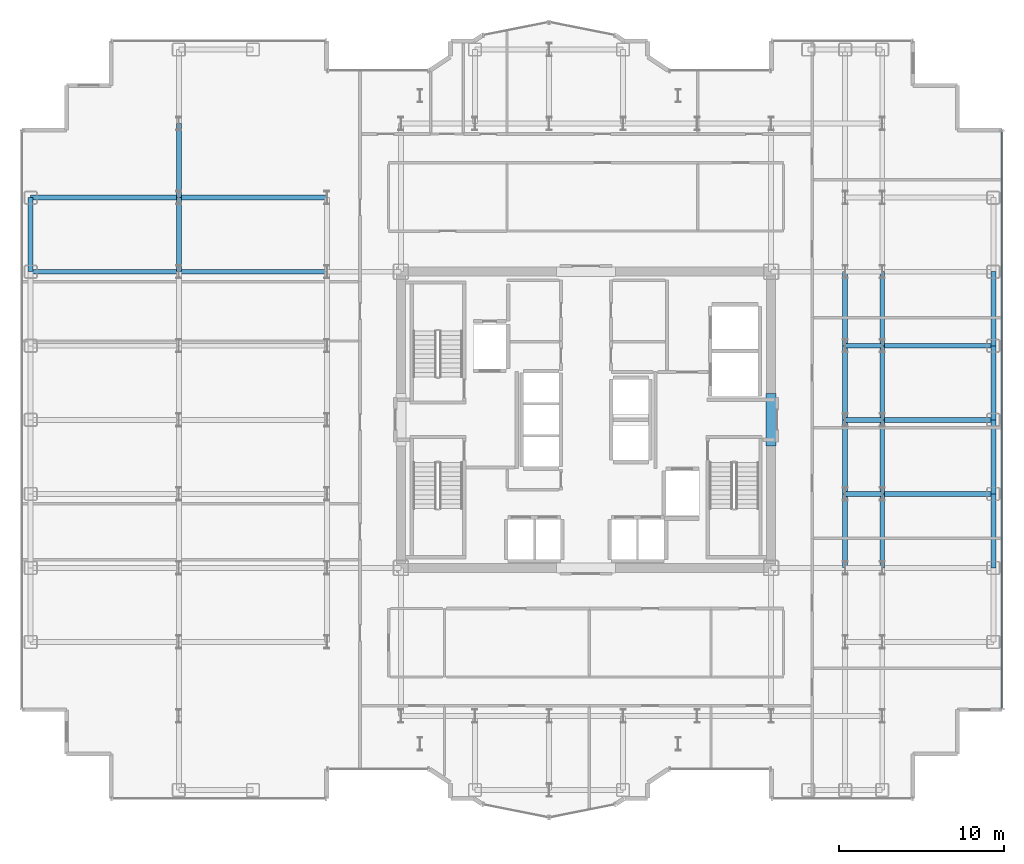
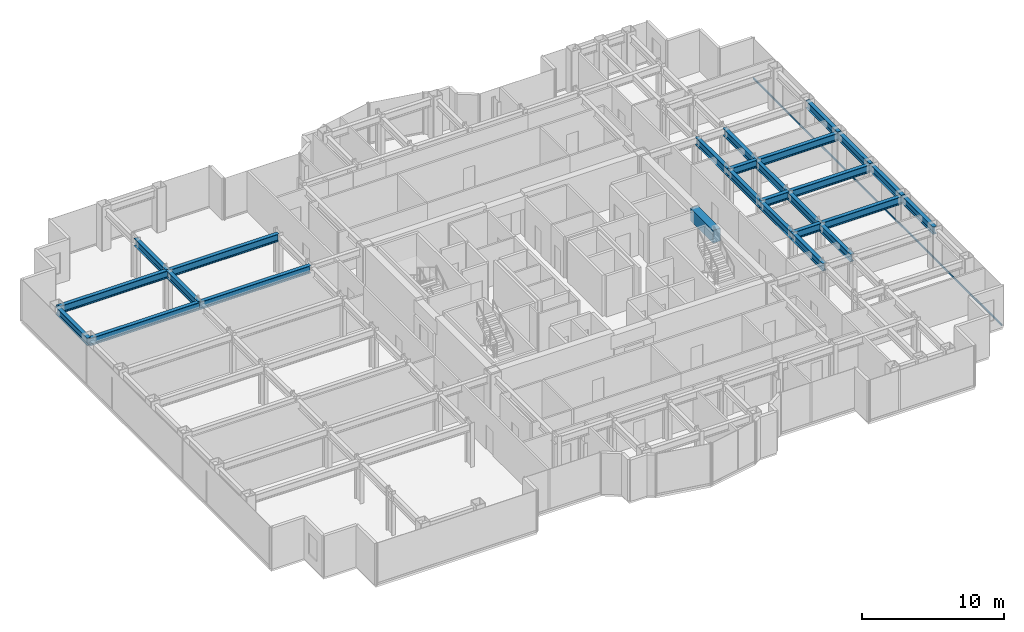
# One storey, part 9 of 23: 26 beams, 1 member, 1 element without a shape of its own.
"""IFC4 building model written with IfcOpenShell, lengths in metres."""

import ifcopenshell
import ifcopenshell.guid

model = None  # the IFC model being written
_history = None  # IfcOwnerHistory: only IFC2X3 demands one
_inside = {}  # id of a spatial element -> (the spatial element, [elements in it])
_under = {}  # id of a project, library or spatial element -> (it, [spatial elements below it])
_declared = {}  # id of a project -> (the project, [libraries it declares])
_typed = {}  # id of a type object -> (the type object, [elements of that type])
_made_of = {}  # id of a material, layer set ... -> (it, [elements and type objects made of it])


def new_model(schema):
    """Start an empty IFC model of exactly this schema.

    Asked for "IFC4X3", IfcOpenShell would pick the latest addendum, in which some entities
    have other attributes; the version numbers below select the first issue.
    IFC2X3 requires an IfcOwnerHistory on every rooted entity: one is made here for all.
    """
    global model, _history
    if schema == "IFC4X3":
        model = ifcopenshell.file(schema_version=(4, 3, 0, 0))
    else:
        model = ifcopenshell.file(schema=schema)
    _inside.clear()
    _under.clear()
    _declared.clear()
    _typed.clear()
    _made_of.clear()
    _history = None
    if model.schema == "IFC2X3":
        org = make("IfcOrganization", Name="unknown")
        user = make(
            "IfcPersonAndOrganization",
            ThePerson=make("IfcPerson", FamilyName="unknown"),
            TheOrganization=org,
        )
        app = make(
            "IfcApplication",
            ApplicationDeveloper=org,
            Version="unknown",
            ApplicationFullName="unknown",
            ApplicationIdentifier="unknown",
        )
        _history = make(
            "IfcOwnerHistory",
            OwningUser=user,
            OwningApplication=app,
            ChangeAction="ADDED",
            CreationDate=0,
        )
    return model


def make(cls, **values):
    """One entity of the class cls with the attributes given. An attribute that is None is left unset."""
    return model.create_entity(
        cls, **{name: value for name, value in values.items() if value is not None}
    )


def rooted(cls, **values):
    """An entity with a GlobalId (a new one), such as an element, a storey or a relation."""
    return make(cls, GlobalId=ifcopenshell.guid.new(), OwnerHistory=_history, **values)


def si_unit(unit_type, name, prefix=None):
    """IfcSIUnit, for example si_unit("LENGTHUNIT", "METRE", prefix="MILLI")."""
    return make("IfcSIUnit", UnitType=unit_type, Prefix=prefix, Name=name)


def assignment(units):
    """IfcUnitAssignment: the units of a project."""
    return None if units is None else make("IfcUnitAssignment", Units=units)


def point(xyz):
    """IfcCartesianPoint."""
    return None if xyz is None else make("IfcCartesianPoint", Coordinates=xyz)


def direction(xyz):
    """IfcDirection."""
    return None if xyz is None else make("IfcDirection", DirectionRatios=xyz)


def frame(location, z_axis=None, x_axis=None):
    """IfcAxis2Placement3D, a coordinate frame: its origin and axes. An axis left out is left unset."""
    return make(
        "IfcAxis2Placement3D",
        Location=point(location),
        Axis=direction(z_axis),
        RefDirection=direction(x_axis),
    )


def frame_2d(location, x_axis=None):
    """IfcAxis2Placement2D, a coordinate frame in the plane: its origin and x axis."""
    return make(
        "IfcAxis2Placement2D", Location=point(location), RefDirection=direction(x_axis)
    )


def origin():
    """The frame at (0, 0, 0) with its axes left unset."""
    return frame((0.0, 0.0, 0.0))


def origin_2d():
    """The frame at (0, 0) in the plane with its x axis left unset."""
    return frame_2d((0.0, 0.0))


def place(relative_to, where):
    """IfcLocalPlacement: puts the frame where relative to a parent placement (None: the world)."""
    return make(
        "IfcLocalPlacement", PlacementRelTo=relative_to, RelativePlacement=where
    )


def context(
    kind, dimensions, precision=None, world=None, true_north=None, identifier=None
):
    """IfcGeometricRepresentationContext, for example the 3D "Model" context."""
    return make(
        "IfcGeometricRepresentationContext",
        ContextIdentifier=identifier,
        ContextType=kind,
        CoordinateSpaceDimension=dimensions,
        Precision=precision,
        WorldCoordinateSystem=world,
        TrueNorth=true_north,
    )


def subcontext(parent, identifier, kind, view, scale=None):
    """IfcGeometricRepresentationSubContext, for example "Body" below "Model"."""
    return make(
        "IfcGeometricRepresentationSubContext",
        ContextIdentifier=identifier,
        ContextType=kind,
        ParentContext=parent,
        TargetScale=scale,
        TargetView=view,
    )


def project(units=None, contexts=None):
    """IfcProject with its units and contexts."""
    return rooted(
        "IfcProject",
        Name="project",
        RepresentationContexts=contexts,
        UnitsInContext=assignment(units),
    )


def spatial(cls, under=None, at=None, **own):
    """A site, building, storey or space (cls), placed at a placement, below another one or the project."""
    s = rooted(cls, ObjectPlacement=at, **own)
    if under is not None:
        _under.setdefault(under.id(), (under, []))[1].append(s)
    return s


def profile(cls, at=None, kind="AREA", **sizes):
    """A parametric profile (cls). Its sizes go by their IFC names, for example OverallWidth=200.0."""
    return make(cls, ProfileType=kind, Position=at, **sizes)


def rectangle(**sizes):
    """IfcRectangleProfileDef."""
    return profile("IfcRectangleProfileDef", **sizes)


def hollow_rectangle(**sizes):
    """IfcRectangleHollowProfileDef."""
    return profile("IfcRectangleHollowProfileDef", **sizes)


def i_section(**sizes):
    """IfcIShapeProfileDef."""
    return profile("IfcIShapeProfileDef", **sizes)


def extrude(swept, where, along, depth):
    """IfcExtrudedAreaSolid: the profile swept, set in the frame where, extruded along a direction by depth."""
    return make(
        "IfcExtrudedAreaSolid",
        SweptArea=swept,
        Position=where,
        ExtrudedDirection=direction(along),
        Depth=depth,
    )


def shape(context_of_items, identifier, shape_type, items):
    """IfcShapeRepresentation: the items that make up one representation, for example the "Body"."""
    return make(
        "IfcShapeRepresentation",
        ContextOfItems=context_of_items,
        RepresentationIdentifier=identifier,
        RepresentationType=shape_type,
        Items=items,
    )


def source(mapping_origin, context_of_items, identifier, shape_type, items):
    """IfcRepresentationMap: a shape defined once, which mapped items show again and again."""
    return make(
        "IfcRepresentationMap",
        MappingOrigin=mapping_origin,
        MappedRepresentation=shape(context_of_items, identifier, shape_type, items),
    )


def transform(
    local_origin,
    x_axis=None,
    y_axis=None,
    z_axis=None,
    scale=None,
    scale2=None,
    scale3=None,
    uniform=True,
):
    """IfcCartesianTransformationOperator3D, or its non-uniform kind. x_axis, y_axis, z_axis: its Axis1, 2, 3."""
    if uniform:
        return make(
            "IfcCartesianTransformationOperator3D",
            Axis1=direction(x_axis),
            Axis2=direction(y_axis),
            LocalOrigin=point(local_origin),
            Scale=scale,
            Axis3=direction(z_axis),
        )
    return make(
        "IfcCartesianTransformationOperator3DnonUniform",
        Axis1=direction(x_axis),
        Axis2=direction(y_axis),
        LocalOrigin=point(local_origin),
        Scale=scale,
        Axis3=direction(z_axis),
        Scale2=scale2,
        Scale3=scale3,
    )


def mapped(mapping_source, mapping_target):
    """IfcMappedItem: shows the shape of a source again, moved by a transform."""
    return make(
        "IfcMappedItem", MappingSource=mapping_source, MappingTarget=mapping_target
    )


def material(Name=None, Category=None):
    """IfcMaterial."""
    return make("IfcMaterial", Name=Name, Category=Category)


def layer(
    of_material, thickness, ventilated=None, Name=None, Category=None, Priority=None
):
    """IfcMaterialLayer: one layer of a wall or slab, of a material (None: an air gap)."""
    return make(
        "IfcMaterialLayer",
        Material=of_material,
        LayerThickness=thickness,
        IsVentilated=ventilated,
        Name=Name,
        Category=Category,
        Priority=Priority,
    )


def layer_set(layers, Name=None):
    """IfcMaterialLayerSet."""
    return make("IfcMaterialLayerSet", MaterialLayers=layers, LayerSetName=Name)


def material_profile(
    of_material, cross_section, Name=None, Category=None, Priority=None
):
    """IfcMaterialProfile: a cross section and its material."""
    return make(
        "IfcMaterialProfile",
        Name=Name,
        Material=of_material,
        Profile=cross_section,
        Priority=Priority,
        Category=Category,
    )


def profile_set(profiles, Name=None, composite=None):
    """IfcMaterialProfileSet."""
    return make(
        "IfcMaterialProfileSet",
        Name=Name,
        MaterialProfiles=profiles,
        CompositeProfile=composite,
    )


def made_of(thing, what):
    """Note that an element or type object is made of a material, layer set ...; save() writes the relation."""
    if what is not None:
        _made_of.setdefault(what.id(), (what, []))[1].append(thing)
    return thing


def type_object(cls, material=None, **own):
    """A type object (cls), such as IfcWallType, which elements share."""
    return made_of(rooted(cls, **own), material)


def element(
    cls,
    number,
    at=None,
    inside=None,
    cuts=None,
    type_object=None,
    material=None,
    context=None,
    identifier="Body",
    shape_type=None,
    held_by="IfcProductDefinitionShape",
    body=None,
    shapes=None,
    **own,
):
    """One element of the class cls, such as IfcWall. Its Tag is "e" and its number.

    at: its placement. inside: the storey or other place that contains it. cuts: it is an
    opening in that element (IfcRelVoidsElement). A single representation is given by context,
    identifier, shape_type and body (its items); several are given by shapes. held_by: the class
    of the entity that holds the representations. save() writes the other relations.
    """
    e = rooted(cls, Tag="e%d" % number, ObjectPlacement=at, **own)
    if body is not None:
        shapes = [shape(context, identifier, shape_type, body)]
    if shapes is not None:
        e.Representation = make(held_by, Representations=shapes)
    if inside is not None:
        _inside.setdefault(inside.id(), (inside, []))[1].append(e)
    if cuts is not None:
        rooted(
            "IfcRelVoidsElement", RelatingBuildingElement=cuts, RelatedOpeningElement=e
        )
    if type_object is not None:
        _typed.setdefault(type_object.id(), (type_object, []))[1].append(e)
    return made_of(e, material)


def aggregate(whole, parts):
    """IfcRelAggregates: a whole, such as a stair, and the parts it consists of."""
    return rooted("IfcRelAggregates", RelatingObject=whole, RelatedObjects=parts)


def save(model, path):
    """Write the relations noted so far, then the file.

    IfcRelAggregates (storeys below a building ...), IfcRelContainedInSpatialStructure (elements
    in a storey), IfcRelDefinesByType, IfcRelAssociatesMaterial and IfcRelDeclares: one each for
    every whole, place, type object, material and project.
    """
    for whole, parts in _under.values():
        aggregate(whole, parts)
    for where, things in _inside.values():
        rooted(
            "IfcRelContainedInSpatialStructure",
            RelatedElements=things,
            RelatingStructure=where,
        )
    for kind, things in _typed.values():
        rooted("IfcRelDefinesByType", RelatedObjects=things, RelatingType=kind)
    for what, things in _made_of.values():
        rooted("IfcRelAssociatesMaterial", RelatedObjects=things, RelatingMaterial=what)
    for by, libraries in _declared.values():
        rooted("IfcRelDeclares", RelatingContext=by, RelatedDefinitions=libraries)
    model.write(path)


model = new_model("IFC4")

# Units and contexts
model_context = context("Model", 3, precision=1e-05, world=origin(), true_north=direction((0.0, 1.0)))
body_context = subcontext(model_context, "Body", "Model", "MODEL_VIEW")
ifc_project = project(units=[si_unit("LENGTHUNIT", "METRE"), si_unit("AREAUNIT", "SQUARE_METRE"), si_unit("VOLUMEUNIT", "CUBIC_METRE"), si_unit("PLANEANGLEUNIT", "RADIAN"), si_unit("MASSUNIT", "GRAM", prefix="KILO")], contexts=[model_context])

# Site, building, storey
site_placement = place(None, origin())
site = spatial("IfcSite", under=ifc_project, at=site_placement, CompositionType="ELEMENT")
building_placement = place(site_placement, origin())
building = spatial("IfcBuilding", under=site, at=building_placement, Name="Nefas-Gora Pilgrimage Tower", CompositionType="ELEMENT")
storey_placement = place(building_placement, frame((0.0, 0.0, 167.800048828125)))
storey = spatial("IfcBuildingStorey", under=building, at=storey_placement, Name="L41", CompositionType="ELEMENT", Elevation=167.800048828125)

# Beams
ifc_material_1 = material(Name="Concrete C60/75", Category="concrete")
ifc_material_profile_1 = material_profile(ifc_material_1, rectangle(XDim=0.60009765625, YDim=1.10009765625, at=origin_2d()), Name="RC 600x1100")
ifc_profile_set_1 = profile_set([ifc_material_profile_1], Name="Concrete C60/75")
beam_type_1 = type_object("IfcBeamType", Name="BM-LIN-RC1100", PredefinedType="LINTEL", material=ifc_profile_set_1)
shared_shape_1 = source(origin(), body_context, "Body", "SweptSolid", [
    extrude(rectangle(XDim=0.60009765625, YDim=1.10009765625, at=origin_2d()), origin(), (0.0, 0.0, 1.0), 3.2001953125),
])
beam_placement = place(storey_placement, frame((11.25, -1.60009765625, 3.0), z_axis=(0.0, 1.0, 0.0), x_axis=(-1.0, 0.0, 0.0)))
element("IfcBeam", 1, at=beam_placement, inside=storey, type_object=beam_type_1, Name="L41 Core Coupling Lintel Beam E", PredefinedType="LINTEL", context=body_context, shape_type="MappedRepresentation", body=[
    mapped(shared_shape_1, transform((0.0, 0.0, 0.0), x_axis=(1.0, 0.0, 0.0), y_axis=(0.0, 1.0, 0.0), z_axis=(0.0, 0.0, 1.0), scale=1.0)),
])
ifc_material_2 = material(Name="Steel S355", Category="steel")
ifc_material_profile_2 = material_profile(ifc_material_2, i_section(OverallWidth=0.300048828125, OverallDepth=0.64990234375, WebThickness=0.01611328125, FlangeThickness=0.031005859375, FilletRadius=0.027099609375, at=origin_2d()), Name="HEB 650")
ifc_profile_set_2 = profile_set([ifc_material_profile_2], Name="Steel S355")
beam_type_2 = type_object("IfcBeamType", Name="BM-SPN-HEB500", PredefinedType="SPANDREL", material=ifc_profile_set_2)
shared_shape_2 = source(origin(), body_context, "Body", "SweptSolid", [
    extrude(i_section(OverallWidth=0.300048828125, OverallDepth=0.64990234375, WebThickness=0.01611328125, FlangeThickness=0.031005859375, FilletRadius=0.027099609375, at=origin_2d()), origin(), (0.0, 0.0, 1.0), 4.5),
])
for number, where, z_axis, x_axis, name in (
    (2, (-33.75, 9.0, 3.224853515625), (0.0, 1.0, 0.0), (-1.0, 0.0, 0.0), "L41 SP-02 beam"),
    (3, (24.75, -9.0, 3.224853515625), (0.0, 1.0, 0.0), (-1.0, 0.0, 0.0), "L41 SP-02 beam"),
    (4, (24.75, -4.5, 3.224853515625), (0.0, 1.0, 0.0), (-1.0, 0.0, 0.0), "L41 SP-02 beam"),
    (5, (24.75, 0.0, 3.224853515625), (0.0, 1.0, 0.0), (-1.0, 0.0, 0.0), "L41 SP-02 beam"),
    (6, (24.75, 4.5, 3.224853515625), (0.0, 1.0, 0.0), (-1.0, 0.0, 0.0), "L41 SP-02 beam"),
):
    element("IfcBeam", number, at=place(storey_placement, frame(where, z_axis=z_axis, x_axis=x_axis)), inside=storey, type_object=beam_type_2, Name=name, PredefinedType="SPANDREL", context=body_context, shape_type="MappedRepresentation", body=[
        mapped(shared_shape_2, transform((0.0, 0.0, 0.0), x_axis=(1.0, 0.0, 0.0), y_axis=(0.0, 1.0, 0.0), z_axis=(0.0, 0.0, 1.0), scale=1.0)),
    ])
ifc_material_profile_3 = material_profile(ifc_material_2, i_section(OverallWidth=0.300048828125, OverallDepth=0.64990234375, WebThickness=0.01611328125, FlangeThickness=0.031005859375, FilletRadius=0.027099609375, at=origin_2d()), Name="HEB 650")
ifc_profile_set_3 = profile_set([ifc_material_profile_3], Name="Steel S355")
beam_type_3 = type_object("IfcBeamType", Name="BM-GIR-HEB650", PredefinedType="BEAM", material=ifc_profile_set_3)
shared_shape_3 = source(origin(), body_context, "Body", "SweptSolid", [
    extrude(i_section(OverallWidth=0.300048828125, OverallDepth=0.64990234375, WebThickness=0.01611328125, FlangeThickness=0.031005859375, FilletRadius=0.027099609375, at=origin_2d()), origin(), (0.0, 0.0, 1.0), 9.0),
])
for number, where, z_axis, x_axis, name in (
    (7, (-33.75, 9.0, 3.224853515625), (1.0, 0.0, 0.0), (0.0, 1.0, 0.0), "L41 G-03 beam"),
    (8, (-33.75, 13.5, 3.224853515625), (1.0, 0.0, 0.0), (0.0, 1.0, 0.0), "L41 G-03 beam"),
    (9, (-24.75, 9.0, 3.224853515625), (1.0, 0.0, 0.0), (0.0, 1.0, 0.0), "L41 G-03 beam"),
    (10, (-24.75, 13.5, 3.224853515625), (1.0, 0.0, 0.0), (0.0, 1.0, 0.0), "L41 G-03 beam"),
):
    element("IfcBeam", number, at=place(storey_placement, frame(where, z_axis=z_axis, x_axis=x_axis)), inside=storey, type_object=beam_type_3, Name=name, PredefinedType="BEAM", context=body_context, shape_type="MappedRepresentation", body=[
        mapped(shared_shape_3, transform((0.0, 0.0, 0.0), x_axis=(1.0, 0.0, 0.0), y_axis=(0.0, 1.0, 0.0), z_axis=(0.0, 0.0, 1.0), scale=1.0)),
    ])
shared_shape_4 = source(origin(), body_context, "Body", "SweptSolid", [
    extrude(i_section(OverallWidth=0.300048828125, OverallDepth=0.64990234375, WebThickness=0.01611328125, FlangeThickness=0.031005859375, FilletRadius=0.027099609375, at=origin_2d()), origin(), (0.0, 0.0, 1.0), 4.5),
])
for number, where, z_axis, x_axis, name in (
    (11, (-24.75, 9.0, 3.224853515625), (0.0, 1.0, 0.0), (-1.0, 0.0, 0.0), "L41 G-03 beam"),
    (12, (-24.75, 13.5, 3.224853515625), (0.0, 1.0, 0.0), (-1.0, 0.0, 0.0), "L41 G-03 beam"),
    (13, (15.75, -9.0, 3.224853515625), (0.0, 1.0, 0.0), (-1.0, 0.0, 0.0), "L41 G-03 beam"),
    (14, (15.75, -4.5, 3.224853515625), (0.0, 1.0, 0.0), (-1.0, 0.0, 0.0), "L41 G-03 beam"),
    (15, (15.75, 0.0, 3.224853515625), (0.0, 1.0, 0.0), (-1.0, 0.0, 0.0), "L41 G-03 beam"),
    (16, (15.75, 4.5, 3.224853515625), (0.0, 1.0, 0.0), (-1.0, 0.0, 0.0), "L41 G-03 beam"),
    (17, (18.0, -9.0, 3.224853515625), (0.0, 1.0, 0.0), (-1.0, 0.0, 0.0), "L41 G-03 beam"),
    (18, (18.0, -4.5, 3.224853515625), (0.0, 1.0, 0.0), (-1.0, 0.0, 0.0), "L41 G-03 beam"),
    (19, (18.0, 0.0, 3.224853515625), (0.0, 1.0, 0.0), (-1.0, 0.0, 0.0), "L41 G-03 beam"),
    (20, (18.0, 4.5, 3.224853515625), (0.0, 1.0, 0.0), (-1.0, 0.0, 0.0), "L41 G-03 beam"),
):
    element("IfcBeam", number, at=place(storey_placement, frame(where, z_axis=z_axis, x_axis=x_axis)), inside=storey, type_object=beam_type_3, Name=name, PredefinedType="BEAM", context=body_context, shape_type="MappedRepresentation", body=[
        mapped(shared_shape_4, transform((0.0, 0.0, 0.0), x_axis=(1.0, 0.0, 0.0), y_axis=(0.0, 1.0, 0.0), z_axis=(0.0, 0.0, 1.0), scale=1.0)),
    ])
shared_shape_5 = source(origin(), body_context, "Body", "SweptSolid", [
    extrude(i_section(OverallWidth=0.300048828125, OverallDepth=0.64990234375, WebThickness=0.01611328125, FlangeThickness=0.031005859375, FilletRadius=0.027099609375, at=origin_2d()), origin(), (0.0, 0.0, 1.0), 6.75),
])
for number, where, z_axis, x_axis, name in (
    (21, (18.0, -4.5, 3.224853515625), (1.0, 0.0, 0.0), (0.0, 1.0, 0.0), "L41 G-03 beam"),
    (22, (18.0, 0.0, 3.224853515625), (1.0, 0.0, 0.0), (0.0, 1.0, 0.0), "L41 G-03 beam"),
    (23, (18.0, 4.5, 3.224853515625), (1.0, 0.0, 0.0), (0.0, 1.0, 0.0), "L41 G-03 beam"),
):
    element("IfcBeam", number, at=place(storey_placement, frame(where, z_axis=z_axis, x_axis=x_axis)), inside=storey, type_object=beam_type_3, Name=name, PredefinedType="BEAM", context=body_context, shape_type="MappedRepresentation", body=[
        mapped(shared_shape_5, transform((0.0, 0.0, 0.0), x_axis=(1.0, 0.0, 0.0), y_axis=(0.0, 1.0, 0.0), z_axis=(0.0, 0.0, 1.0), scale=1.0)),
    ])
shared_shape_6 = source(origin(), body_context, "Body", "SweptSolid", [
    extrude(i_section(OverallWidth=0.300048828125, OverallDepth=0.64990234375, WebThickness=0.01611328125, FlangeThickness=0.031005859375, FilletRadius=0.027099609375, at=origin_2d()), origin(), (0.0, 0.0, 1.0), 2.25),
])
for number, where, z_axis, x_axis, name in (
    (24, (15.75, -4.5, 3.224853515625), (1.0, 0.0, 0.0), (0.0, 1.0, 0.0), "L41 G-03 beam"),
    (25, (15.75, 0.0, 3.224853515625), (1.0, 0.0, 0.0), (0.0, 1.0, 0.0), "L41 G-03 beam"),
    (26, (15.75, 4.5, 3.224853515625), (1.0, 0.0, 0.0), (0.0, 1.0, 0.0), "L41 G-03 beam"),
):
    element("IfcBeam", number, at=place(storey_placement, frame(where, z_axis=z_axis, x_axis=x_axis)), inside=storey, type_object=beam_type_3, Name=name, PredefinedType="BEAM", context=body_context, shape_type="MappedRepresentation", body=[
        mapped(shared_shape_6, transform((0.0, 0.0, 0.0), x_axis=(1.0, 0.0, 0.0), y_axis=(0.0, 1.0, 0.0), z_axis=(0.0, 0.0, 1.0), scale=1.0)),
    ])

# Curtain wall, member
ifc_material_3 = material(Name="Dark ceramic-fritted solar-control aluminium-glass curtain wall", Category="aluminium")
ifc_layer = layer(ifc_material_3, 0.219970703125)
ifc_layer_set = layer_set([ifc_layer], Name="Dark ceramic-fritted solar-control aluminium-glass curtain wall")
curtain_wall_type = type_object("IfcCurtainWallType", Name="CW-SYS-3", PredefinedType="NOTDEFINED", material=ifc_layer_set)
curtain_wall_placement = place(storey_placement, origin())
curtain_wall = element("IfcCurtainWall", 27, at=curtain_wall_placement, inside=storey, type_object=curtain_wall_type, Name="L41 Unitised Curtain Wall CW3", PredefinedType="NOTDEFINED")
ifc_material_4 = material(Name="Anodised architectural aluminium", Category="aluminium")
ifc_material_profile_4 = material_profile(ifc_material_4, hollow_rectangle(XDim=0.080078125, YDim=0.159912109375, WallThickness=0.00439453125, InnerFilletRadius=0.00439453125, OuterFilletRadius=0.009033203125, at=origin_2d()), Name="ALU TRANSOM 80x160")
ifc_profile_set_4 = profile_set([ifc_material_profile_4], Name="Anodised architectural aluminium")
member_type = type_object("IfcMemberType", Name="CWM-TRN-3", PredefinedType="USERDEFINED", material=ifc_profile_set_4)
shared_shape_7 = source(origin(), body_context, "Body", "SweptSolid", [
    extrude(hollow_rectangle(XDim=0.080078125, YDim=0.159912109375, WallThickness=0.00439453125, InnerFilletRadius=0.00439453125, OuterFilletRadius=0.009033203125, at=origin_2d()), origin(), (0.0, 0.0, 1.0), 35.06005859375),
])
member_placement = place(storey_placement, frame((25.27001953125, -17.530029296875, 0.050048828125), z_axis=(0.0, 1.0, 0.0), x_axis=(-1.0, 0.0, 0.0)))
member = element("IfcMember", 28, at=member_placement, type_object=member_type, Name="CW3 Spandrel Transom", ObjectType="TRANSOM", PredefinedType="USERDEFINED", context=body_context, shape_type="MappedRepresentation", body=[
    mapped(shared_shape_7, transform((0.0, 0.0, 0.0), x_axis=(1.0, 0.0, 0.0), y_axis=(0.0, 1.0, 0.0), z_axis=(0.0, 0.0, 1.0), scale=1.0)),
])
aggregate(curtain_wall, [member])

save(model, "model.ifc")
